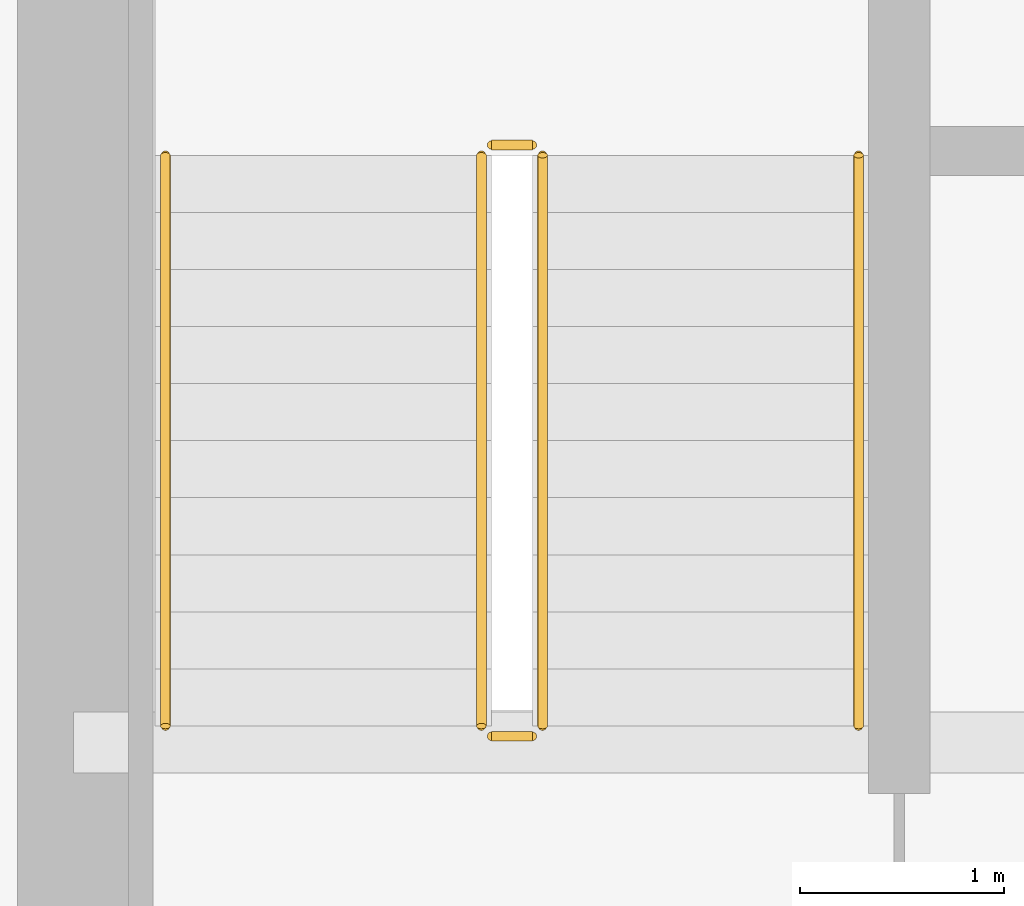
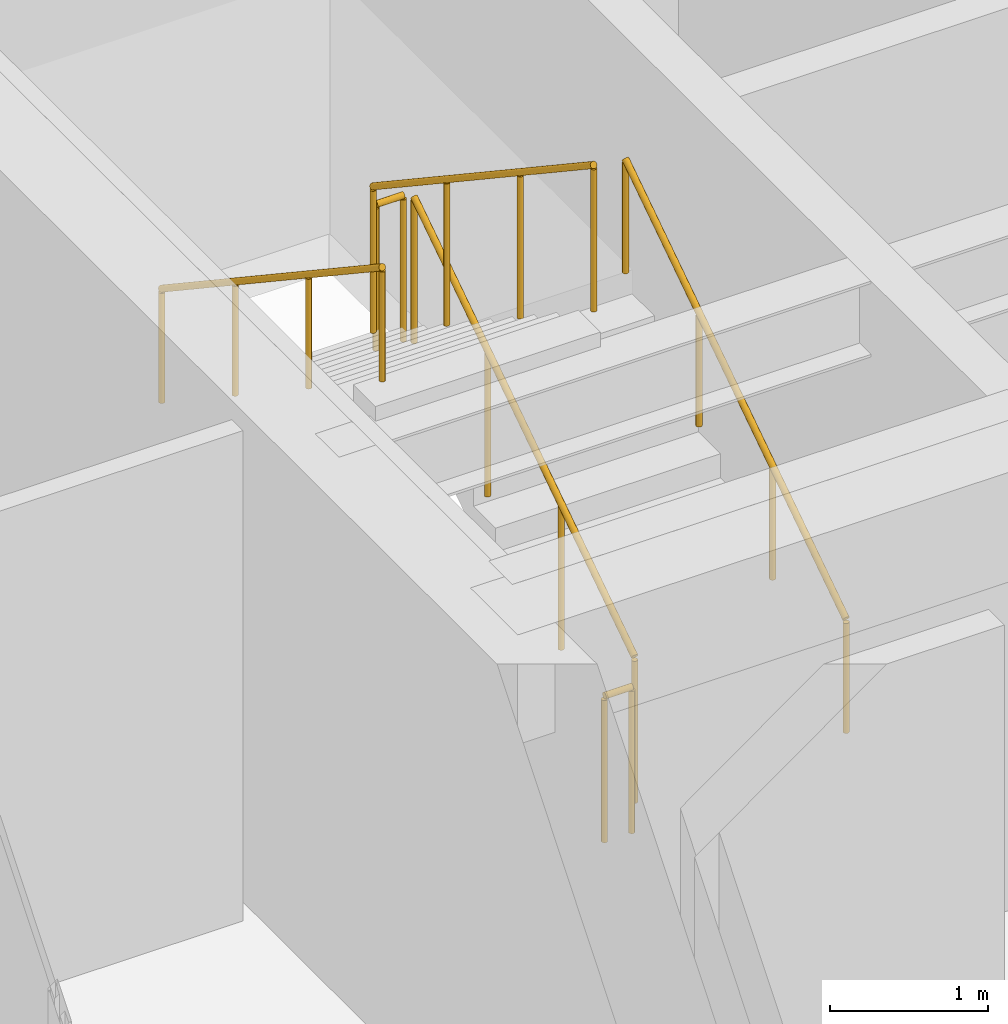
# One storey, part 32 of 33: 6 railings.
"""IFC4 building model written with IfcOpenShell, lengths in metres."""

import ifcopenshell
import ifcopenshell.guid

model = None  # the IFC model being written
_history = None  # IfcOwnerHistory: only IFC2X3 demands one
_inside = {}  # id of a spatial element -> (the spatial element, [elements in it])
_under = {}  # id of a project, library or spatial element -> (it, [spatial elements below it])
_declared = {}  # id of a project -> (the project, [libraries it declares])
_typed = {}  # id of a type object -> (the type object, [elements of that type])
_made_of = {}  # id of a material, layer set ... -> (it, [elements and type objects made of it])


def new_model(schema):
    """Start an empty IFC model of exactly this schema.

    Asked for "IFC4X3", IfcOpenShell would pick the latest addendum, in which some entities
    have other attributes; the version numbers below select the first issue.
    IFC2X3 requires an IfcOwnerHistory on every rooted entity: one is made here for all.
    """
    global model, _history
    if schema == "IFC4X3":
        model = ifcopenshell.file(schema_version=(4, 3, 0, 0))
    else:
        model = ifcopenshell.file(schema=schema)
    _inside.clear()
    _under.clear()
    _declared.clear()
    _typed.clear()
    _made_of.clear()
    _history = None
    if model.schema == "IFC2X3":
        org = make("IfcOrganization", Name="unknown")
        user = make(
            "IfcPersonAndOrganization",
            ThePerson=make("IfcPerson", FamilyName="unknown"),
            TheOrganization=org,
        )
        app = make(
            "IfcApplication",
            ApplicationDeveloper=org,
            Version="unknown",
            ApplicationFullName="unknown",
            ApplicationIdentifier="unknown",
        )
        _history = make(
            "IfcOwnerHistory",
            OwningUser=user,
            OwningApplication=app,
            ChangeAction="ADDED",
            CreationDate=0,
        )
    return model


def make(cls, **values):
    """One entity of the class cls with the attributes given. An attribute that is None is left unset."""
    return model.create_entity(
        cls, **{name: value for name, value in values.items() if value is not None}
    )


def rooted(cls, **values):
    """An entity with a GlobalId (a new one), such as an element, a storey or a relation."""
    return make(cls, GlobalId=ifcopenshell.guid.new(), OwnerHistory=_history, **values)


def si_unit(unit_type, name, prefix=None):
    """IfcSIUnit, for example si_unit("LENGTHUNIT", "METRE", prefix="MILLI")."""
    return make("IfcSIUnit", UnitType=unit_type, Prefix=prefix, Name=name)


def assignment(units):
    """IfcUnitAssignment: the units of a project."""
    return None if units is None else make("IfcUnitAssignment", Units=units)


def point(xyz):
    """IfcCartesianPoint."""
    return None if xyz is None else make("IfcCartesianPoint", Coordinates=xyz)


def direction(xyz):
    """IfcDirection."""
    return None if xyz is None else make("IfcDirection", DirectionRatios=xyz)


def frame(location, z_axis=None, x_axis=None):
    """IfcAxis2Placement3D, a coordinate frame: its origin and axes. An axis left out is left unset."""
    return make(
        "IfcAxis2Placement3D",
        Location=point(location),
        Axis=direction(z_axis),
        RefDirection=direction(x_axis),
    )


def frame_2d(location, x_axis=None):
    """IfcAxis2Placement2D, a coordinate frame in the plane: its origin and x axis."""
    return make(
        "IfcAxis2Placement2D", Location=point(location), RefDirection=direction(x_axis)
    )


def origin():
    """The frame at (0, 0, 0) with its axes left unset."""
    return frame((0.0, 0.0, 0.0))


def origin_2d():
    """The frame at (0, 0) in the plane with its x axis left unset."""
    return frame_2d((0.0, 0.0))


def place(relative_to, where):
    """IfcLocalPlacement: puts the frame where relative to a parent placement (None: the world)."""
    return make(
        "IfcLocalPlacement", PlacementRelTo=relative_to, RelativePlacement=where
    )


def context(
    kind, dimensions, precision=None, world=None, true_north=None, identifier=None
):
    """IfcGeometricRepresentationContext, for example the 3D "Model" context."""
    return make(
        "IfcGeometricRepresentationContext",
        ContextIdentifier=identifier,
        ContextType=kind,
        CoordinateSpaceDimension=dimensions,
        Precision=precision,
        WorldCoordinateSystem=world,
        TrueNorth=true_north,
    )


def subcontext(parent, identifier, kind, view, scale=None):
    """IfcGeometricRepresentationSubContext, for example "Body" below "Model"."""
    return make(
        "IfcGeometricRepresentationSubContext",
        ContextIdentifier=identifier,
        ContextType=kind,
        ParentContext=parent,
        TargetScale=scale,
        TargetView=view,
    )


def project(units=None, contexts=None):
    """IfcProject with its units and contexts."""
    return rooted(
        "IfcProject",
        Name="project",
        RepresentationContexts=contexts,
        UnitsInContext=assignment(units),
    )


def spatial(cls, under=None, at=None, **own):
    """A site, building, storey or space (cls), placed at a placement, below another one or the project."""
    s = rooted(cls, ObjectPlacement=at, **own)
    if under is not None:
        _under.setdefault(under.id(), (under, []))[1].append(s)
    return s


def profile(cls, at=None, kind="AREA", **sizes):
    """A parametric profile (cls). Its sizes go by their IFC names, for example OverallWidth=200.0."""
    return make(cls, ProfileType=kind, Position=at, **sizes)


def circle(**sizes):
    """IfcCircleProfileDef."""
    return profile("IfcCircleProfileDef", **sizes)


def extrude(swept, where, along, depth):
    """IfcExtrudedAreaSolid: the profile swept, set in the frame where, extruded along a direction by depth."""
    return make(
        "IfcExtrudedAreaSolid",
        SweptArea=swept,
        Position=where,
        ExtrudedDirection=direction(along),
        Depth=depth,
    )


def shape(context_of_items, identifier, shape_type, items):
    """IfcShapeRepresentation: the items that make up one representation, for example the "Body"."""
    return make(
        "IfcShapeRepresentation",
        ContextOfItems=context_of_items,
        RepresentationIdentifier=identifier,
        RepresentationType=shape_type,
        Items=items,
    )


def source(mapping_origin, context_of_items, identifier, shape_type, items):
    """IfcRepresentationMap: a shape defined once, which mapped items show again and again."""
    return make(
        "IfcRepresentationMap",
        MappingOrigin=mapping_origin,
        MappedRepresentation=shape(context_of_items, identifier, shape_type, items),
    )


def transform(
    local_origin,
    x_axis=None,
    y_axis=None,
    z_axis=None,
    scale=None,
    scale2=None,
    scale3=None,
    uniform=True,
):
    """IfcCartesianTransformationOperator3D, or its non-uniform kind. x_axis, y_axis, z_axis: its Axis1, 2, 3."""
    if uniform:
        return make(
            "IfcCartesianTransformationOperator3D",
            Axis1=direction(x_axis),
            Axis2=direction(y_axis),
            LocalOrigin=point(local_origin),
            Scale=scale,
            Axis3=direction(z_axis),
        )
    return make(
        "IfcCartesianTransformationOperator3DnonUniform",
        Axis1=direction(x_axis),
        Axis2=direction(y_axis),
        LocalOrigin=point(local_origin),
        Scale=scale,
        Axis3=direction(z_axis),
        Scale2=scale2,
        Scale3=scale3,
    )


def mapped(mapping_source, mapping_target):
    """IfcMappedItem: shows the shape of a source again, moved by a transform."""
    return make(
        "IfcMappedItem", MappingSource=mapping_source, MappingTarget=mapping_target
    )


def material(Name=None, Category=None):
    """IfcMaterial."""
    return make("IfcMaterial", Name=Name, Category=Category)


def made_of(thing, what):
    """Note that an element or type object is made of a material, layer set ...; save() writes the relation."""
    if what is not None:
        _made_of.setdefault(what.id(), (what, []))[1].append(thing)
    return thing


def type_object(cls, material=None, **own):
    """A type object (cls), such as IfcWallType, which elements share."""
    return made_of(rooted(cls, **own), material)


def type_shapes(of_type, sources):
    """Give a type object the sources (RepresentationMaps) that its elements show as mapped items."""
    of_type.RepresentationMaps = sources


def element(
    cls,
    number,
    at=None,
    inside=None,
    cuts=None,
    type_object=None,
    material=None,
    context=None,
    identifier="Body",
    shape_type=None,
    held_by="IfcProductDefinitionShape",
    body=None,
    shapes=None,
    **own,
):
    """One element of the class cls, such as IfcWall. Its Tag is "e" and its number.

    at: its placement. inside: the storey or other place that contains it. cuts: it is an
    opening in that element (IfcRelVoidsElement). A single representation is given by context,
    identifier, shape_type and body (its items); several are given by shapes. held_by: the class
    of the entity that holds the representations. save() writes the other relations.
    """
    e = rooted(cls, Tag="e%d" % number, ObjectPlacement=at, **own)
    if body is not None:
        shapes = [shape(context, identifier, shape_type, body)]
    if shapes is not None:
        e.Representation = make(held_by, Representations=shapes)
    if inside is not None:
        _inside.setdefault(inside.id(), (inside, []))[1].append(e)
    if cuts is not None:
        rooted(
            "IfcRelVoidsElement", RelatingBuildingElement=cuts, RelatedOpeningElement=e
        )
    if type_object is not None:
        _typed.setdefault(type_object.id(), (type_object, []))[1].append(e)
    return made_of(e, material)


def aggregate(whole, parts):
    """IfcRelAggregates: a whole, such as a stair, and the parts it consists of."""
    return rooted("IfcRelAggregates", RelatingObject=whole, RelatedObjects=parts)


def save(model, path):
    """Write the relations noted so far, then the file.

    IfcRelAggregates (storeys below a building ...), IfcRelContainedInSpatialStructure (elements
    in a storey), IfcRelDefinesByType, IfcRelAssociatesMaterial and IfcRelDeclares: one each for
    every whole, place, type object, material and project.
    """
    for whole, parts in _under.values():
        aggregate(whole, parts)
    for where, things in _inside.values():
        rooted(
            "IfcRelContainedInSpatialStructure",
            RelatedElements=things,
            RelatingStructure=where,
        )
    for kind, things in _typed.values():
        rooted("IfcRelDefinesByType", RelatedObjects=things, RelatingType=kind)
    for what, things in _made_of.values():
        rooted("IfcRelAssociatesMaterial", RelatedObjects=things, RelatingMaterial=what)
    for by, libraries in _declared.values():
        rooted("IfcRelDeclares", RelatingContext=by, RelatedDefinitions=libraries)
    model.write(path)


model = new_model("IFC4")

# Units and contexts
model_context = context("Model", 3, precision=1e-05, world=origin(), true_north=direction((0.0, 1.0)))
body_context = subcontext(model_context, "Body", "Model", "MODEL_VIEW")
ifc_project = project(units=[si_unit("LENGTHUNIT", "METRE"), si_unit("AREAUNIT", "SQUARE_METRE"), si_unit("VOLUMEUNIT", "CUBIC_METRE"), si_unit("PLANEANGLEUNIT", "RADIAN"), si_unit("MASSUNIT", "GRAM", prefix="KILO")], contexts=[model_context])

# Site, building, storey
site_placement = place(None, origin())
site = spatial("IfcSite", under=ifc_project, at=site_placement, CompositionType="ELEMENT")
building_placement = place(site_placement, origin())
building = spatial("IfcBuilding", under=site, at=building_placement, Name="Haelvirn Gate Laboratories", CompositionType="ELEMENT")
storey_placement = place(building_placement, frame((0.0, 0.0, 275.199951171875)))
storey = spatial("IfcBuildingStorey", under=building, at=storey_placement, Name="L66", CompositionType="ELEMENT", Elevation=275.199951171875)

# Railings
ifc_material_1 = material(Name="Galvanised steel SM355 & stainless top rail", Category="steel")
railing_type_1 = type_object("IfcRailingType", Name="RL-GUARD-1150", PredefinedType="GUARDRAIL", material=ifc_material_1)
shared_shape_1 = source(origin(), body_context, "Body", "SweptSolid", [
    extrude(circle(Radius=0.02392578125, at=origin_2d()), frame((0.0, 0.0, 1.1259765625), z_axis=(-1.0, 0.0, 0.0), x_axis=(0.0, -1.0, 0.0)), (0.0, 0.0, 1.0), 0.199951171875),
    extrude(circle(Radius=0.02099609375, at=origin_2d()), origin(), (0.0, 0.0, 1.0), 1.101806640625),
    extrude(circle(Radius=0.02099609375, at=origin_2d()), frame((-0.199951171875, 0.0, 0.0)), (0.0, 0.0, 1.0), 1.101806640625),
])
for number, where, name in (
    (1, (9.64990234375, 29.550048828125, 2.050048828125), "L66 ST1 stair guard 2"),
    (2, (9.64990234375, 26.64990234375, 0.0), "L66 ST1 stair guard 4"),
):
    element("IfcRailing", number, at=place(storey_placement, frame(where)), inside=storey, type_object=railing_type_1, Name=name, PredefinedType="GUARDRAIL", context=body_context, shape_type="MappedRepresentation", body=[
        mapped(shared_shape_1, transform((0.0, 0.0, 0.0), scale=1.0)),
    ])
shared_shape_2 = source(origin(), body_context, "Body", "SweptSolid", [
    extrude(circle(Radius=0.02392578125, at=origin_2d()), frame((0.0, 0.0, 1.1259765625), z_axis=(0.0, 0.832485552168, 0.554046753832), x_axis=(-1.0, 0.0, 0.0)), (0.0, 0.0, 1.0), 3.363525390625),
    extrude(circle(Radius=0.02099609375, at=origin_2d()), origin(), (0.0, 0.0, 1.0), 1.101806640625),
    extrude(circle(Radius=0.02099609375, at=origin_2d()), frame((0.0, 0.933349609375, 0.62109375)), (0.0, 0.0, 1.0), 1.101806640625),
    extrude(circle(Radius=0.02099609375, at=origin_2d()), frame((0.0, 1.86669921875, 1.242431640625)), (0.0, 0.0, 1.0), 1.101806640625),
    extrude(circle(Radius=0.02099609375, at=origin_2d()), frame((0.0, 2.800048828125, 1.863525390625)), (0.0, 0.0, 1.0), 1.101806640625),
])
railing_1_placement = place(storey_placement, frame((9.699951171875, 26.699951171875, 0.1865234375)))
element("IfcRailing", 3, at=railing_1_placement, inside=storey, type_object=railing_type_1, Name="L66 ST1 stair guard 1", PredefinedType="GUARDRAIL", context=body_context, shape_type="MappedRepresentation", body=[
    mapped(shared_shape_2, transform((0.0, 0.0, 0.0), scale=1.0)),
])
shared_shape_3 = source(origin(), body_context, "Body", "SweptSolid", [
    extrude(circle(Radius=0.02392578125, at=origin_2d()), frame((0.0, 0.0, 1.1259765625), z_axis=(0.0, -0.832452072856, 0.554097055034), x_axis=(1.0, 0.0, 0.0)), (0.0, 0.0, 1.0), 3.363525390625),
    extrude(circle(Radius=0.02099609375, at=origin_2d()), origin(), (0.0, 0.0, 1.0), 1.101806640625),
    extrude(circle(Radius=0.02099609375, at=origin_2d()), frame((0.0, -0.933349609375, 0.621337890625)), (0.0, 0.0, 1.0), 1.101806640625),
    extrude(circle(Radius=0.02099609375, at=origin_2d()), frame((0.0, -1.86669921875, 1.242431640625)), (0.0, 0.0, 1.0), 1.101806640625),
    extrude(circle(Radius=0.02099609375, at=origin_2d()), frame((0.0, -2.800048828125, 1.86376953125)), (0.0, 0.0, 1.0), 1.101806640625),
])
type_shapes(railing_type_1, [shared_shape_1, shared_shape_2, shared_shape_3])
railing_2_placement = place(storey_placement, frame((9.39990234375, 29.5, 2.236328125)))
element("IfcRailing", 4, at=railing_2_placement, inside=storey, type_object=railing_type_1, Name="L66 ST1 stair guard 3", PredefinedType="GUARDRAIL", context=body_context, shape_type="MappedRepresentation", body=[
    mapped(shared_shape_3, transform((0.0, 0.0, 0.0), scale=1.0)),
])
ifc_material_2 = material(Name="Brushed stainless steel 316L", Category="steel")
railing_type_2 = type_object("IfcRailingType", Name="RL-HAND-920", PredefinedType="HANDRAIL", material=ifc_material_2)
shared_shape_4 = source(origin(), body_context, "Body", "SweptSolid", [
    extrude(circle(Radius=0.02392578125, at=origin_2d()), frame((0.0, 0.0, 0.8759765625), z_axis=(0.0, 0.832485552168, 0.554046753832), x_axis=(-1.0, 0.0, 0.0)), (0.0, 0.0, 1.0), 3.363525390625),
    extrude(circle(Radius=0.02099609375, at=origin_2d()), origin(), (0.0, 0.0, 1.0), 0.851806640625),
    extrude(circle(Radius=0.02099609375, at=origin_2d()), frame((0.0, 0.933349609375, 0.62109375)), (0.0, 0.0, 1.0), 0.851806640625),
    extrude(circle(Radius=0.02099609375, at=origin_2d()), frame((0.0, 1.86669921875, 1.242431640625)), (0.0, 0.0, 1.0), 0.851806640625),
    extrude(circle(Radius=0.02099609375, at=origin_2d()), frame((0.0, 2.800048828125, 1.863525390625)), (0.0, 0.0, 1.0), 0.851806640625),
])
railing_3_placement = place(storey_placement, frame((11.25, 26.699951171875, 0.1865234375)))
element("IfcRailing", 5, at=railing_3_placement, inside=storey, type_object=railing_type_2, Name="L66 ST1 stair handrail 1", PredefinedType="HANDRAIL", context=body_context, shape_type="MappedRepresentation", body=[
    mapped(shared_shape_4, transform((0.0, 0.0, 0.0), scale=1.0)),
])
shared_shape_5 = source(origin(), body_context, "Body", "SweptSolid", [
    extrude(circle(Radius=0.02392578125, at=origin_2d()), frame((0.0, 0.0, 0.8759765625), z_axis=(0.0, -0.832452072856, 0.554097055034), x_axis=(1.0, 0.0, 0.0)), (0.0, 0.0, 1.0), 3.363525390625),
    extrude(circle(Radius=0.02099609375, at=origin_2d()), origin(), (0.0, 0.0, 1.0), 0.851806640625),
    extrude(circle(Radius=0.02099609375, at=origin_2d()), frame((0.0, -0.933349609375, 0.621337890625)), (0.0, 0.0, 1.0), 0.851806640625),
    extrude(circle(Radius=0.02099609375, at=origin_2d()), frame((0.0, -1.86669921875, 1.242431640625)), (0.0, 0.0, 1.0), 0.851806640625),
    extrude(circle(Radius=0.02099609375, at=origin_2d()), frame((0.0, -2.800048828125, 1.86376953125)), (0.0, 0.0, 1.0), 0.851806640625),
])
type_shapes(railing_type_2, [shared_shape_4, shared_shape_5])
railing_4_placement = place(storey_placement, frame((7.85009765625, 29.5, 2.236328125)))
element("IfcRailing", 6, at=railing_4_placement, inside=storey, type_object=railing_type_2, Name="L66 ST1 stair handrail 2", PredefinedType="HANDRAIL", context=body_context, shape_type="MappedRepresentation", body=[
    mapped(shared_shape_5, transform((0.0, 0.0, 0.0), scale=1.0)),
])

save(model, "model.ifc")
